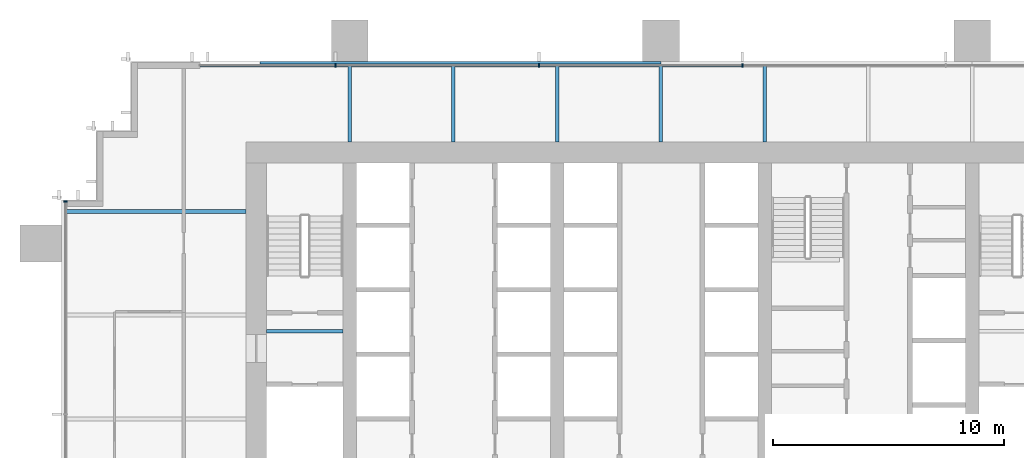
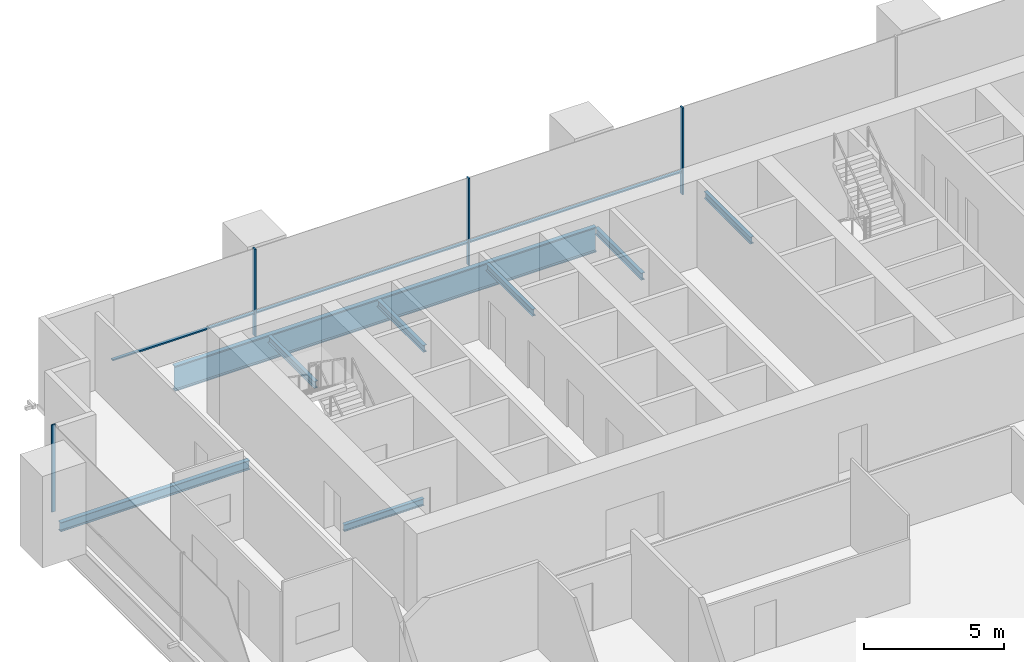
# One storey, part 8 of 17: 8 beams, 7 members, 2 elements without a shape of their own.
"""IFC4 building model written with IfcOpenShell, lengths in metres."""

from ifc_helpers import new_model, si_unit, direction, frame, origin, origin_2d, place, context, subcontext, project, spatial, rectangle, i_section, extrude, material, material_profile, profile_set, type_object, element, aggregate, save


model = new_model("IFC4")

# Units and contexts
model_context = context("Model", 3, precision=1e-05, world=origin(), true_north=direction((0.0, 1.0)))
body_context = subcontext(model_context, "Body", "Model", "MODEL_VIEW")
ifc_project = project(units=[si_unit("LENGTHUNIT", "METRE"), si_unit("AREAUNIT", "SQUARE_METRE"), si_unit("VOLUMEUNIT", "CUBIC_METRE"), si_unit("PLANEANGLEUNIT", "RADIAN"), si_unit("MASSUNIT", "GRAM", prefix="KILO")], contexts=[model_context])

# Site, building, storey
site_placement = place(None, origin())
site = spatial("IfcSite", under=ifc_project, at=site_placement, CompositionType="ELEMENT")
building_placement = place(site_placement, origin())
building = spatial("IfcBuilding", under=site, at=building_placement, Name="Rattan Terrace Tower", CompositionType="ELEMENT")
storey_placement = place(building_placement, frame((0.0, 0.0, 95.699951171875)))
storey = spatial("IfcBuildingStorey", under=building, at=storey_placement, Name="L21", CompositionType="ELEMENT", Elevation=95.699951171875)

# Curtain wall, members
ifc_material_1 = material(Name="Aluminium and glass", Category="aluminium")
curtain_wall_type = type_object("IfcCurtainWallType", Name="Facade Unitised Curtain Wall", PredefinedType="NOTDEFINED", material=ifc_material_1)
curtain_wall_1_placement = place(storey_placement, origin())
curtain_wall_1 = element("IfcCurtainWall", 1, at=curtain_wall_1_placement, inside=storey, type_object=curtain_wall_type, Name="Curtain wall L21-2", PredefinedType="NOTDEFINED")
ifc_material_2 = material(Name="Aluminium", Category="aluminium")
ifc_material_profile_1 = material_profile(ifc_material_2, rectangle(XDim=0.06005859375, YDim=0.159912109375, at=origin_2d()), Name="Aluminium 60x160")
ifc_profile_set_1 = profile_set([ifc_material_profile_1], Name="Aluminium")
member_type_1 = type_object("IfcMemberType", Name="Facade CW Mullion 60x160", PredefinedType="MULLION", material=ifc_profile_set_1)
member_1_placement = place(storey_placement, frame((3.531005859375, 10.830078125, 0.0), z_axis=(0.0, 0.0, 1.0), x_axis=(-1.0, 0.0, 0.0)))
member_1 = element("IfcMember", 2, at=member_1_placement, type_object=member_type_1, Name="Mullion cwl-L21-002.4", PredefinedType="MULLION", context=body_context, shape_type="SweptSolid", body=[
    extrude(rectangle(XDim=0.06005859375, YDim=0.159912109375, at=origin_2d()), origin(), (0.0, 0.0, 1.0), 3.800048828125),
])
member_2_placement = place(storey_placement, frame((-5.2919921875, 10.830078125, 0.0), z_axis=(0.0, 0.0, 1.0), x_axis=(-1.0, 0.0, 0.0)))
member_2 = element("IfcMember", 3, at=member_2_placement, type_object=member_type_1, Name="Mullion cwl-L21-002.5", PredefinedType="MULLION", context=body_context, shape_type="SweptSolid", body=[
    extrude(rectangle(XDim=0.06005859375, YDim=0.159912109375, at=origin_2d()), origin(), (0.0, 0.0, 1.0), 3.800048828125),
])
member_3_placement = place(storey_placement, frame((-14.114990234375, 10.830078125, 0.0), z_axis=(0.0, 0.0, 1.0), x_axis=(-1.0, 0.0, 0.0)))
member_3 = element("IfcMember", 4, at=member_3_placement, type_object=member_type_1, Name="Mullion cwl-L21-002.6", PredefinedType="MULLION", context=body_context, shape_type="SweptSolid", body=[
    extrude(rectangle(XDim=0.06005859375, YDim=0.159912109375, at=origin_2d()), origin(), (0.0, 0.0, 1.0), 3.800048828125),
])

# Curtain wall, member
curtain_wall_2_placement = place(storey_placement, origin())
curtain_wall_2 = element("IfcCurtainWall", 5, at=curtain_wall_2_placement, inside=storey, type_object=curtain_wall_type, Name="Curtain wall L21-3", PredefinedType="NOTDEFINED")
member_4_placement = place(storey_placement, frame((-25.830078125, 4.925048828125, 0.0), z_axis=(0.0, 0.0, 1.0), x_axis=(0.0, -1.0, 0.0)))
member_4 = element("IfcMember", 6, at=member_4_placement, type_object=member_type_1, Name="Mullion cwl-L21-003.1", PredefinedType="MULLION", context=body_context, shape_type="SweptSolid", body=[
    extrude(rectangle(XDim=0.06005859375, YDim=0.159912109375, at=origin_2d()), origin(), (0.0, 0.0, 1.0), 3.800048828125),
])
aggregate(curtain_wall_2, [member_4])

# Member
ifc_material_3 = material(Name="Aluminium", Category="aluminium")
ifc_material_profile_2 = material_profile(ifc_material_3, rectangle(XDim=0.1201171875, YDim=0.06005859375, at=origin_2d()), Name="Aluminium 120x60")
ifc_profile_set_2 = profile_set([ifc_material_profile_2], Name="Aluminium")
member_type_2 = type_object("IfcMemberType", Name="Facade CW Transom 120x60", PredefinedType="USERDEFINED", material=ifc_profile_set_2)
member_5_placement = place(storey_placement, frame((3.5009765625, 10.830078125, 1.0), z_axis=(-1.0, 0.0, 0.0), x_axis=(0.0, -1.0, 0.0)))
member_5 = element("IfcMember", 7, at=member_5_placement, type_object=member_type_2, Name="Transom cwl-L21-002.4", ObjectType="TRANSOM", PredefinedType="USERDEFINED", context=body_context, shape_type="SweptSolid", body=[
    extrude(rectangle(XDim=0.1201171875, YDim=0.06005859375, at=origin_2d()), origin(), (0.0, 0.0, 1.0), 8.762939453125),
])

member_6_placement = place(storey_placement, frame((-5.322021484375, 10.830078125, 1.0), z_axis=(-1.0, 0.0, 0.0), x_axis=(0.0, -1.0, 0.0)))
member_6 = element("IfcMember", 8, at=member_6_placement, type_object=member_type_2, Name="Transom cwl-L21-002.5", ObjectType="TRANSOM", PredefinedType="USERDEFINED", context=body_context, shape_type="SweptSolid", body=[
    extrude(rectangle(XDim=0.1201171875, YDim=0.06005859375, at=origin_2d()), origin(), (0.0, 0.0, 1.0), 8.762939453125),
])

member_7_placement = place(storey_placement, frame((-14.14501953125, 10.830078125, 1.0), z_axis=(-1.0, 0.0, 0.0), x_axis=(0.0, -1.0, 0.0)))
member_7 = element("IfcMember", 9, at=member_7_placement, type_object=member_type_2, Name="Transom cwl-L21-002.6", ObjectType="TRANSOM", PredefinedType="USERDEFINED", context=body_context, shape_type="SweptSolid", body=[
    extrude(rectangle(XDim=0.1201171875, YDim=0.06005859375, at=origin_2d()), origin(), (0.0, 0.0, 1.0), 5.85498046875),
])

aggregate(curtain_wall_1, [member_1, member_2, member_3, member_5, member_6, member_7])

# Beams
ifc_material_4 = material(Name="Steel S460", Category="steel")
ifc_material_profile_3 = material_profile(ifc_material_4, i_section(OverallWidth=0.179931640625, OverallDepth=1.10009765625, WebThickness=0.01611328125, FlangeThickness=0.050048828125, at=origin_2d()), Name="PG 1100x180-16-50")
ifc_profile_set_3 = profile_set([ifc_material_profile_3], Name="Steel S460")
beam_type_1 = type_object("IfcBeamType", Name="Frame edge girder PG 1100x180-16-50", PredefinedType="SPANDREL", material=ifc_profile_set_3)
beam_1_placement = place(storey_placement, frame((-17.39990234375, 10.909912109375, -0.75), z_axis=(1.0, 0.0, 0.0), x_axis=(0.0, 1.0, 0.0)))
element("IfcBeam", 10, at=beam_1_placement, inside=storey, type_object=beam_type_1, Name="gdr-L21-006", PredefinedType="SPANDREL", context=body_context, shape_type="SweptSolid", body=[
    extrude(i_section(OverallWidth=0.179931640625, OverallDepth=1.10009765625, WebThickness=0.01611328125, FlangeThickness=0.050048828125, at=origin_2d()), origin(), (0.0, 0.0, 1.0), 17.39990234375),
])
ifc_material_5 = material(Name="Steel S355", Category="steel")
ifc_material_profile_4 = material_profile(ifc_material_5, i_section(OverallWidth=0.14990234375, OverallDepth=0.300048828125, WebThickness=0.007080078125, FlangeThickness=0.0107421875, FilletRadius=0.014892578125, at=origin_2d()), Name="IPE 300")
ifc_profile_set_4 = profile_set([ifc_material_profile_4], Name="Steel S355")
beam_type_2 = type_object("IfcBeamType", Name="Frame floor beam IPE 300", PredefinedType="JOIST", material=ifc_profile_set_4)
beam_2_placement = place(storey_placement, frame((-17.10009765625, -0.695068359375, -0.349853515625), z_axis=(1.0, 0.0, 0.0), x_axis=(0.0, 1.0, 0.0)))
element("IfcBeam", 11, at=beam_2_placement, inside=storey, type_object=beam_type_2, Name="bm-L21-001", PredefinedType="JOIST", context=body_context, shape_type="SweptSolid", body=[
    extrude(i_section(OverallWidth=0.14990234375, OverallDepth=0.300048828125, WebThickness=0.007080078125, FlangeThickness=0.0107421875, FilletRadius=0.014892578125, at=origin_2d()), origin(), (0.0, 0.0, 1.0), 3.300048828125),
])
for number, where, z_axis, x_axis, name in (
    (12, (-13.5, 7.5, -0.349853515625), (0.0, 1.0, 0.0), (-1.0, 0.0, 0.0), "bm-L21-018"),
    (13, (-9.0, 7.5, -0.349853515625), (0.0, 1.0, 0.0), (-1.0, 0.0, 0.0), "bm-L21-019"),
    (14, (-4.5, 7.5, -0.349853515625), (0.0, 1.0, 0.0), (-1.0, 0.0, 0.0), "bm-L21-020"),
    (15, (0.0, 7.5, -0.349853515625), (0.0, 1.0, 0.0), (-1.0, 0.0, 0.0), "bm-L21-021"),
    (16, (4.5, 7.5, -0.349853515625), (0.0, 1.0, 0.0), (-1.0, 0.0, 0.0), "bm-L21-022"),
):
    element("IfcBeam", number, at=place(storey_placement, frame(where, z_axis=z_axis, x_axis=x_axis)), inside=storey, type_object=beam_type_2, Name=name, PredefinedType="JOIST", context=body_context, shape_type="SweptSolid", body=[
        extrude(i_section(OverallWidth=0.14990234375, OverallDepth=0.300048828125, WebThickness=0.007080078125, FlangeThickness=0.0107421875, FilletRadius=0.014892578125, at=origin_2d()), origin(), (0.0, 0.0, 1.0), 3.320068359375),
    ])
ifc_material_6 = material(Name="Steel S355", Category="steel")
ifc_material_profile_5 = material_profile(ifc_material_6, i_section(OverallWidth=0.179931640625, OverallDepth=0.39990234375, WebThickness=0.008544921875, FlangeThickness=0.013427734375, FilletRadius=0.02099609375, at=origin_2d()), Name="IPE 400")
ifc_profile_set_5 = profile_set([ifc_material_profile_5], Name="Steel S355")
beam_type_3 = type_object("IfcBeamType", Name="Frame floor beam IPE 400", PredefinedType="JOIST", material=ifc_profile_set_5)
beam_3_placement = place(storey_placement, frame((-25.820068359375, 4.5, -0.39990234375), z_axis=(1.0, 0.0, 0.0), x_axis=(0.0, 1.0, 0.0)))
element("IfcBeam", 17, at=beam_3_placement, inside=storey, type_object=beam_type_3, Name="bm-L21-016", PredefinedType="JOIST", context=body_context, shape_type="SweptSolid", body=[
    extrude(i_section(OverallWidth=0.179931640625, OverallDepth=0.39990234375, WebThickness=0.008544921875, FlangeThickness=0.013427734375, FilletRadius=0.02099609375, at=origin_2d()), origin(), (0.0, 0.0, 1.0), 7.820068359375),
])

save(model, "model.ifc")
